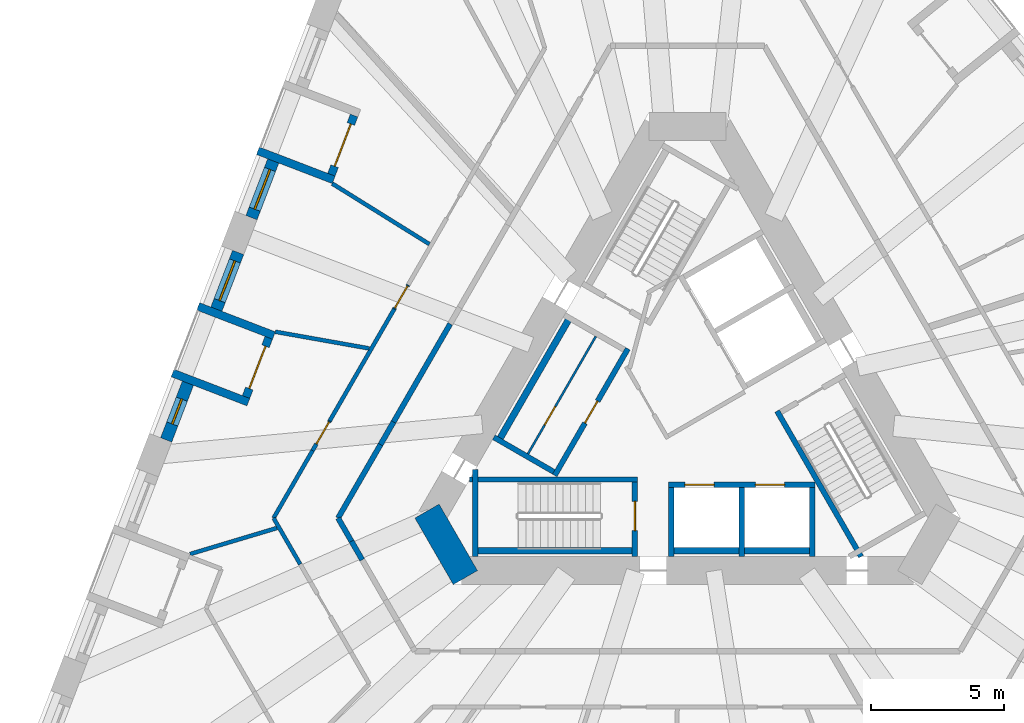
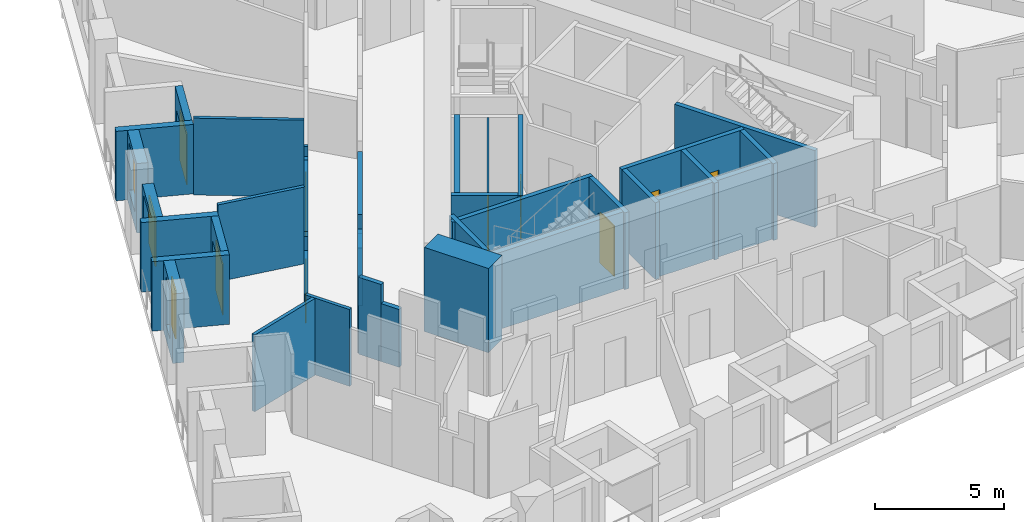
# One storey, part 4 of 14: 36 walls, 9 doors, 3 windows, 12 openings.
"""IFC4 building model written with IfcOpenShell, lengths in metres."""

from ifc_helpers import new_model, si_unit, direction, frame, frame_2d, origin, place, context, subcontext, project, spatial, polyline, rectangle, outline, extrude, material, layer, layer_set, type_object, element, fill, save


model = new_model("IFC4")

# Units and contexts
model_context = context("Model", 3, precision=1e-05, world=origin(), true_north=direction((0.0, 1.0)))
body_context = subcontext(model_context, "Body", "Model", "MODEL_VIEW")
ifc_project = project(units=[si_unit("LENGTHUNIT", "METRE"), si_unit("AREAUNIT", "SQUARE_METRE"), si_unit("VOLUMEUNIT", "CUBIC_METRE"), si_unit("PLANEANGLEUNIT", "RADIAN"), si_unit("MASSUNIT", "GRAM", prefix="KILO")], contexts=[model_context])

# Site, building, storey
site_placement = place(None, origin())
site = spatial("IfcSite", under=ifc_project, at=site_placement, CompositionType="ELEMENT")
building_placement = place(site_placement, origin())
building = spatial("IfcBuilding", under=site, at=building_placement, Name="Tramontana Tower", CompositionType="ELEMENT")
storey_placement = place(building_placement, frame((0.0, 0.0, 75.199951171875)))
storey = spatial("IfcBuildingStorey", under=building, at=storey_placement, Name="L16", CompositionType="ELEMENT", Elevation=75.199951171875)

# Walls
ifc_material_1 = material(Name="Concrete 70 MPa", Category="concrete")
ifc_layer_1 = layer(ifc_material_1, 1.050048828125)
ifc_layer_set_1 = layer_set([ifc_layer_1], Name="Core wall 1050 70 MPa")
wall_type_1 = type_object("IfcWallType", Name="Core wall 1050 70 MPa", PredefinedType="SHEAR", material=ifc_layer_set_1)
wall_1_placement = place(storey_placement, frame((-9.793212890625, -3.987548828125, 0.0), z_axis=(0.0, 0.0, 1.0), x_axis=(0.499995765644, -0.866027848477, 0.0)))
element("IfcWall", 1, at=wall_1_placement, inside=storey, type_object=wall_type_1, Name="Core wall C2 L16", PredefinedType="SHEAR", context=body_context, shape_type="SweptSolid", body=[
    extrude(rectangle(XDim=2.88671875, YDim=1.050048828125, at=frame_2d((1.443359375, 0.0))), origin(), (0.0, 0.0, 1.0), 4.0),
])
ifc_material_2 = material(Name="Blockwork", Category="masonry")
ifc_layer_2 = layer(ifc_material_2, 0.199951171875)
ifc_layer_set_2 = layer_set([ifc_layer_2], Name="ENTRY WALL 200")
wall_type_2 = type_object("IfcWallType", Name="ENTRY WALL 200", PredefinedType="SOLIDWALL", material=ifc_layer_set_2)
wall_2_placement = place(storey_placement, frame((-12.228515625, -5.819580078125, 0.0), z_axis=(0.0, 0.0, 1.0), x_axis=(-0.499923776705, 0.866069406852, 0.0)))
element("IfcWall", 2, at=wall_2_placement, inside=storey, type_object=wall_type_2, Name="Wall v12-ew3-4", PredefinedType="SOLIDWALL", context=body_context, shape_type="SweptSolid", body=[
    extrude(rectangle(XDim=0.804931640625, YDim=0.199951171875, at=frame_2d((0.40234375, 0.0))), origin(), (0.0, 0.0, 1.0), 2.75),
])
wall_3_placement = place(storey_placement, frame((-12.630859375, -5.12255859375, 0.0), z_axis=(0.0, 0.0, 1.0), x_axis=(-0.500099969036, 0.865967678941, 0.0)))
element("IfcWall", 3, at=wall_3_placement, inside=storey, type_object=wall_type_2, Name="Wall v12-ew3-5", PredefinedType="SOLIDWALL", context=body_context, shape_type="SweptSolid", body=[
    extrude(rectangle(XDim=1.007568359375, YDim=0.199951171875, at=frame_2d((0.50390625, 0.0))), origin(), (0.0, 0.0, 1.0), 3.650146484375),
])
wall_4_placement = place(storey_placement, frame((-13.134765625, -4.25, 0.0), z_axis=(0.0, 0.0, 1.0), x_axis=(0.50003154259, 0.866007191896, 0.0)))
element("IfcWall", 4, at=wall_4_placement, inside=storey, type_object=wall_type_2, Name="Wall v12-ew4-0", PredefinedType="SOLIDWALL", context=body_context, shape_type="SweptSolid", body=[
    extrude(rectangle(XDim=3.190673828125, YDim=0.199951171875, at=frame_2d((1.59521484375, 0.0))), origin(), (0.0, 0.0, 1.0), 3.650146484375),
])
wall_5_placement = place(storey_placement, frame((-11.539306640625, -1.48681640625, 0.0), z_axis=(0.0, 0.0, 1.0), x_axis=(0.499966601515, 0.86604468555, 0.0)))
element("IfcWall", 5, at=wall_5_placement, inside=storey, type_object=wall_type_2, Name="Wall v12-ew4-1", PredefinedType="SOLIDWALL", context=body_context, shape_type="SweptSolid", body=[
    extrude(rectangle(XDim=0.98095703125, YDim=0.199951171875, at=frame_2d((0.490478515625, 0.0))), origin(), (0.0, 0.0, 1.0), 2.75),
])
wall_6_placement = place(storey_placement, frame((-11.048828125, -0.63720703125, 0.0), z_axis=(0.0, 0.0, 1.0), x_axis=(0.500000470374, 0.866025132214, 0.0)))
element("IfcWall", 6, at=wall_6_placement, inside=storey, type_object=wall_type_2, Name="Wall v12-ew4-2", PredefinedType="SOLIDWALL", context=body_context, shape_type="SweptSolid", body=[
    extrude(rectangle(XDim=4.2568359375, YDim=0.199951171875, at=frame_2d((2.12841796875, 0.0))), origin(), (0.0, 0.0, 1.0), 3.650146484375),
])

# Wall, opening, window
ifc_material_3 = material(Name="Precast concrete 60 MPa", Category="concrete")
ifc_layer_3 = layer(ifc_material_3, 0.449951171875)
ifc_layer_set_3 = layer_set([ifc_layer_3], Name="Precast concrete 60 MPa, 450 mm")
wall_type_3 = type_object("IfcWallType", Name="EW1 Stone-faced precast wall 450", PredefinedType="SOLIDWALL", material=ifc_layer_set_3)
wall_7_placement = place(storey_placement, frame((-15.572021484375, 9.1728515625, 0.0), z_axis=(0.0, 0.0, 1.0), x_axis=(-0.358355550725, -0.933585185864, 0.0)))
wall_7 = element("IfcWall", 7, at=wall_7_placement, inside=storey, type_object=wall_type_3, Name="External wall L16 face 0 bay 3", PredefinedType="SOLIDWALL", context=body_context, shape_type="SweptSolid", body=[
    extrude(rectangle(XDim=2.282958984375, YDim=0.449951171875, at=frame_2d((1.1416015625, 0.0))), origin(), (0.0, 0.0, 1.0), 3.300048828125),
])
opening_1_placement = place(wall_7_placement, frame((0.341552734375, 0.0, 0.699951171875)))
opening_1 = element("IfcOpeningElement", 8, at=opening_1_placement, cuts=wall_7, Name="Opening M1", PredefinedType="OPENING", context=body_context, shape_type="SweptSolid", body=[
    extrude(rectangle(XDim=1.60009765625, YDim=2.300048828125, at=frame_2d((0.800048828125, 1.14990234375))), frame((0.0, 0.23486328125, 0.0), z_axis=(0.0, -1.0, 0.0), x_axis=(1.0, 0.0, 0.0)), (0.0, 0.0, 1.0), 0.469970703125),
])
ifc_material_4 = material(Name="Aluminum frame, double glazing unit", Category="aluminium")
window_type_1 = type_object("IfcWindowType", Name="M1 Window 1.6 x 2.3", PartitioningType="SINGLE_PANEL", PredefinedType="WINDOW", material=ifc_material_4)
window_1_placement = place(opening_1_placement, origin())
window_1 = element("IfcWindow", 9, at=window_1_placement, inside=storey, type_object=window_type_1, Name="Window M1 L16 face 0 module 9", OverallHeight=2.300048828125, OverallWidth=1.60009765625, PartitioningType="SINGLE_PANEL", PredefinedType="WINDOW", context=body_context, shape_type="SweptSolid", body=[
    extrude(rectangle(XDim=1.60009765625, YDim=2.300048828125, at=frame_2d((0.800048828125, 1.14990234375))), frame((0.0, 0.030029296875, 0.0), z_axis=(0.0, -1.0, 0.0), x_axis=(1.0, 0.0, 0.0)), (0.0, 0.0, 1.0), 0.06005859375),
])
fill(opening_1, window_1)

wall_8_placement = place(storey_placement, frame((-16.891845703125, 5.734375, 0.0), z_axis=(0.0, 0.0, 1.0), x_axis=(-0.358355550725, -0.933585185864, 0.0)))
wall_8 = element("IfcWall", 10, at=wall_8_placement, inside=storey, type_object=wall_type_3, Name="External wall L16 face 0 bay 4", PredefinedType="SOLIDWALL", context=body_context, shape_type="SweptSolid", body=[
    extrude(rectangle(XDim=2.282958984375, YDim=0.449951171875, at=frame_2d((1.1416015625, 0.0))), origin(), (0.0, 0.0, 1.0), 3.300048828125),
])
opening_2_placement = place(wall_8_placement, frame((0.341552734375, 0.0, 0.699951171875)))
opening_2 = element("IfcOpeningElement", 11, at=opening_2_placement, cuts=wall_8, Name="Opening M1", PredefinedType="OPENING", context=body_context, shape_type="SweptSolid", body=[
    extrude(rectangle(XDim=1.60009765625, YDim=2.300048828125, at=frame_2d((0.800048828125, 1.14990234375))), frame((0.0, 0.23486328125, 0.0), z_axis=(0.0, -1.0, 0.0), x_axis=(1.0, 0.0, 0.0)), (0.0, 0.0, 1.0), 0.469970703125),
])
window_2_placement = place(opening_2_placement, origin())
window_2 = element("IfcWindow", 12, at=window_2_placement, inside=storey, type_object=window_type_1, Name="Window M1 L16 face 0 module 10", OverallHeight=2.300048828125, OverallWidth=1.60009765625, PartitioningType="SINGLE_PANEL", PredefinedType="WINDOW", context=body_context, shape_type="SweptSolid", body=[
    extrude(rectangle(XDim=1.60009765625, YDim=2.300048828125, at=frame_2d((0.800048828125, 1.14990234375))), frame((0.0, 0.030029296875, 0.0), z_axis=(0.0, -1.0, 0.0), x_axis=(1.0, 0.0, 0.0)), (0.0, 0.0, 1.0), 0.06005859375),
])
fill(opening_2, window_2)

wall_9_placement = place(storey_placement, frame((-18.779052734375, 0.818115234375, 0.0), z_axis=(0.0, 0.0, 1.0), x_axis=(-0.358355550725, -0.933585185864, 0.0)))
wall_9 = element("IfcWall", 13, at=wall_9_placement, inside=storey, type_object=wall_type_3, Name="External wall L16 face 0 bay 4", PredefinedType="SOLIDWALL", context=body_context, shape_type="SweptSolid", body=[
    extrude(rectangle(XDim=2.282958984375, YDim=0.449951171875, at=frame_2d((1.1416015625, 0.0))), origin(), (0.0, 0.0, 1.0), 3.300048828125),
])
opening_3_placement = place(wall_9_placement, frame((0.6416015625, 0.0, 0.699951171875)))
opening_3 = element("IfcOpeningElement", 14, at=opening_3_placement, cuts=wall_9, Name="Opening N1", PredefinedType="OPENING", context=body_context, shape_type="SweptSolid", body=[
    extrude(rectangle(XDim=1.0, YDim=2.300048828125, at=frame_2d((0.5, 1.14990234375))), frame((0.0, 0.23486328125, 0.0), z_axis=(0.0, -1.0, 0.0), x_axis=(1.0, 0.0, 0.0)), (0.0, 0.0, 1.0), 0.469970703125),
])
ifc_material_5 = material(Name="Aluminum frame, double glazing unit", Category="aluminium")
window_type_2 = type_object("IfcWindowType", Name="N1 Window 1 x 2.3", PartitioningType="SINGLE_PANEL", PredefinedType="WINDOW", material=ifc_material_5)
window_3_placement = place(opening_3_placement, origin())
window_3 = element("IfcWindow", 15, at=window_3_placement, inside=storey, type_object=window_type_2, Name="Window N1 L16 face 0 module 12", OverallHeight=2.300048828125, OverallWidth=1.0, PartitioningType="SINGLE_PANEL", PredefinedType="WINDOW", context=body_context, shape_type="SweptSolid", body=[
    extrude(rectangle(XDim=1.0, YDim=2.300048828125, at=frame_2d((0.5, 1.14990234375))), frame((0.0, 0.030029296875, 0.0), z_axis=(0.0, -1.0, 0.0), x_axis=(1.0, 0.0, 0.0)), (0.0, 0.0, 1.0), 0.06005859375),
])
fill(opening_3, window_3)

# Wall, opening, door
ifc_material_6 = material(Name="Precast concrete 60 MPa", Category="concrete")
ifc_layer_4 = layer(ifc_material_6, 0.300048828125)
ifc_layer_set_4 = layer_set([ifc_layer_4], Name="LW1 Stone-faced loggia wall 300")
wall_type_4 = type_object("IfcWallType", Name="LW1 Stone-faced loggia wall 300", PredefinedType="SOLIDWALL", material=ifc_layer_set_4)
wall_10_placement = place(storey_placement, frame((-12.533447265625, 10.880126953125, 0.0), z_axis=(0.0, 0.0, 1.0), x_axis=(-0.35838856932, -0.933572511046, 0.0)))
wall_10 = element("IfcWall", 16, at=wall_10_placement, inside=storey, type_object=wall_type_4, Name="Loggia wall L16 G1S0.7", PredefinedType="SOLIDWALL", context=body_context, shape_type="SweptSolid", body=[
    extrude(rectangle(XDim=2.3828125, YDim=0.300048828125, at=frame_2d((1.19140625, 0.0))), origin(), (0.0, 0.0, 1.0), 3.300048828125),
])
opening_4_placement = place(wall_10_placement, frame((0.341552734375, 0.0, 0.0)))
opening_4 = element("IfcOpeningElement", 17, at=opening_4_placement, cuts=wall_10, Name="Opening BD-1S0-07", PredefinedType="OPENING", context=body_context, shape_type="SweptSolid", body=[
    extrude(rectangle(XDim=1.699951171875, YDim=2.39990234375, at=frame_2d((0.85009765625, 1.199951171875))), frame((0.0, 0.159912109375, 0.0), z_axis=(0.0, -1.0, 0.0), x_axis=(1.0, 0.0, 0.0)), (0.0, 0.0, 1.0), 0.320068359375),
])
ifc_material_7 = material(Name="Aluminum frame, double glazing unit", Category="aluminium")
door_type_1 = type_object("IfcDoorType", Name="BD1 Sliding door 1.7 x 2.4", OperationType="SLIDING_TO_LEFT", PredefinedType="DOOR", material=ifc_material_7)
door_1_placement = place(opening_4_placement, origin())
door_1 = element("IfcDoor", 18, at=door_1_placement, inside=storey, type_object=door_type_1, Name="Loggia door L16 G1S0.7", OperationType="SLIDING_TO_LEFT", OverallHeight=2.39990234375, OverallWidth=1.699951171875, PredefinedType="DOOR", context=body_context, shape_type="SweptSolid", body=[
    extrude(rectangle(XDim=1.699951171875, YDim=2.39990234375, at=frame_2d((0.85009765625, 1.199951171875))), frame((0.0, 0.02490234375, 0.0), z_axis=(0.0, -1.0, 0.0), x_axis=(1.0, 0.0, 0.0)), (0.0, 0.0, 1.0), 0.050048828125),
])
fill(opening_4, door_1)

# Wall
wall_11_placement = place(storey_placement, frame((-16.1484375, 9.5546875, 0.0), z_axis=(0.0, 0.0, 1.0), x_axis=(0.933580593625, -0.358367514161, 0.0)))
element("IfcWall", 19, at=wall_11_placement, inside=storey, type_object=wall_type_4, Name="Loggia return L16 G1S0.7b", PredefinedType="SOLIDWALL", context=body_context, shape_type="SweptSolid", body=[
    extrude(rectangle(XDim=3.050048828125, YDim=0.300048828125, at=frame_2d((1.52490234375, 0.0))), origin(), (0.0, 0.0, 1.0), 3.300048828125),
])

# Wall, opening, door
wall_12_placement = place(storey_placement, frame((-15.740478515625, 2.525634765625, 0.0), z_axis=(0.0, 0.0, 1.0), x_axis=(-0.35829926872, -0.933606787697, 0.0)))
wall_12 = element("IfcWall", 20, at=wall_12_placement, inside=storey, type_object=wall_type_4, Name="Loggia wall L16 G1S0.10", PredefinedType="SOLIDWALL", context=body_context, shape_type="SweptSolid", body=[
    extrude(rectangle(XDim=2.3828125, YDim=0.300048828125, at=frame_2d((1.19140625, 0.0))), origin(), (0.0, 0.0, 1.0), 3.300048828125),
])
opening_5_placement = place(wall_12_placement, frame((0.341552734375, 0.0, 0.0)))
opening_5 = element("IfcOpeningElement", 21, at=opening_5_placement, cuts=wall_12, Name="Opening BD-1S0-10", PredefinedType="OPENING", context=body_context, shape_type="SweptSolid", body=[
    extrude(rectangle(XDim=1.699951171875, YDim=2.39990234375, at=frame_2d((0.85009765625, 1.199951171875))), frame((0.0, 0.159912109375, 0.0), z_axis=(0.0, -1.0, 0.0), x_axis=(1.0, 0.0, 0.0)), (0.0, 0.0, 1.0), 0.320068359375),
])
door_2_placement = place(opening_5_placement, origin())
door_2 = element("IfcDoor", 22, at=door_2_placement, inside=storey, type_object=door_type_1, Name="Loggia door L16 G1S0.10", OperationType="SLIDING_TO_LEFT", OverallHeight=2.39990234375, OverallWidth=1.699951171875, PredefinedType="DOOR", context=body_context, shape_type="SweptSolid", body=[
    extrude(rectangle(XDim=1.699951171875, YDim=2.39990234375, at=frame_2d((0.85009765625, 1.199951171875))), frame((0.0, 0.02490234375, 0.0), z_axis=(0.0, -1.0, 0.0), x_axis=(1.0, 0.0, 0.0)), (0.0, 0.0, 1.0), 0.050048828125),
])
fill(opening_5, door_2)

# Walls
for number, where, z_axis, x_axis, name in (
    (23, (-18.39404296875, 3.704833984375, 0.0), (0.0, 0.0, 1.0), (0.933580593625, -0.358367514161, 0.0), "Loggia return L16 G1S0.10a"),
    (24, (-19.35546875, 1.2001953125, 0.0), (0.0, 0.0, 1.0), (0.933580593625, -0.358367514161, 0.0), "Loggia return L16 G1S0.10b"),
):
    element("IfcWall", number, at=place(storey_placement, frame(where, z_axis=z_axis, x_axis=x_axis)), inside=storey, type_object=wall_type_4, Name=name, PredefinedType="SOLIDWALL", context=body_context, shape_type="SweptSolid", body=[
        extrude(rectangle(XDim=3.050048828125, YDim=0.300048828125, at=frame_2d((1.52490234375, 0.0))), origin(), (0.0, 0.0, 1.0), 3.300048828125),
    ])
ifc_material_8 = material(Name="Gypsum board partition")
ifc_layer_5 = layer(ifc_material_8, 0.14990234375)
ifc_layer_set_5 = layer_set([ifc_layer_5], Name="PARTITION 150")
wall_type_5 = type_object("IfcWallType", Name="PARTITION 150", PredefinedType="PARTITIONING", material=ifc_layer_set_5)
wall_13_placement = place(storey_placement, frame((-18.69970703125, -5.6025390625, 0.0), z_axis=(0.0, 0.0, 1.0), x_axis=(0.957938455099, 0.286973720472, 0.0)))
element("IfcWall", 25, at=wall_13_placement, inside=storey, type_object=wall_type_5, Name="Wall v12-pw00", PredefinedType="PARTITIONING", context=body_context, shape_type="SweptSolid", body=[
    extrude(rectangle(XDim=3.412353515625, YDim=0.14990234375, at=frame_2d((1.7060546875, 0.0))), origin(), (0.0, 0.0, 1.0), 3.650146484375),
])
wall_14_placement = place(storey_placement, frame((-15.5595703125, -4.25, 0.0), z_axis=(0.0, 0.0, 1.0), x_axis=(0.500013600279, 0.866017551517, 0.0)))
element("IfcWall", 26, at=wall_14_placement, inside=storey, type_object=wall_type_5, Name="Wall v12-pw03-0", PredefinedType="PARTITIONING", context=body_context, shape_type="SweptSolid", body=[
    extrude(rectangle(XDim=2.927734375, YDim=0.14990234375, at=frame_2d((1.4638671875, 0.0))), origin(), (0.0, 0.0, 1.0), 3.650146484375),
])

# Wall, opening, door
wall_15_placement = place(storey_placement, frame((-14.095703125, -1.714599609375, 0.0), z_axis=(0.0, 0.0, 1.0), x_axis=(0.499940610781, 0.866059689451, 0.0)))
wall_15 = element("IfcWall", 27, at=wall_15_placement, inside=storey, type_object=wall_type_5, Name="Wall v12-pw03-1", PredefinedType="PARTITIONING", context=body_context, shape_type="SweptSolid", body=[
    extrude(outline(polyline([(0.0, 0.0), (1.291748046875, 0.0), (1.29150390625, 3.650146484375), (0.950439453125, 3.650146484375), (0.950439453125, 2.75), (0.0, 2.75), (0.0, 0.0)])), frame((0.0, 0.074951171875, 0.0), z_axis=(0.0, -1.0, 0.0), x_axis=(1.0, 0.0, 0.0)), (0.0, 0.0, 1.0), 0.14990234375),
])
opening_6_placement = place(wall_15_placement, frame((0.29150390625, 0.0, 0.0)))
opening_6 = element("IfcOpeningElement", 28, at=opening_6_placement, cuts=wall_15, Name="Opening B1C-11", PredefinedType="OPENING", context=body_context, shape_type="SweptSolid", body=[
    extrude(rectangle(XDim=0.949951171875, YDim=2.39990234375, at=frame_2d((0.47509765625, 1.199951171875))), frame((0.0, 0.0849609375, 0.0), z_axis=(0.0, -1.0, 0.0), x_axis=(1.0, 0.0, 0.0)), (0.0, 0.0, 1.0), 0.169921875),
])
ifc_material_9 = material(Name="Painted timber", Category="wood")
door_type_2 = type_object("IfcDoorType", Name="DOOR ROOM 950", OperationType="SINGLE_SWING_LEFT", PredefinedType="DOOR", material=ifc_material_9)
door_3_placement = place(opening_6_placement, origin())
door_3 = element("IfcDoor", 29, at=door_3_placement, inside=storey, type_object=door_type_2, Name="Door B1C-11", OperationType="SINGLE_SWING_LEFT", OverallHeight=2.39990234375, OverallWidth=0.949951171875, PredefinedType="DOOR", context=body_context, shape_type="SweptSolid", body=[
    extrude(rectangle(XDim=0.949951171875, YDim=2.39990234375, at=frame_2d((0.47509765625, 1.199951171875))), frame((0.0, 0.02490234375, 0.0), z_axis=(0.0, -1.0, 0.0), x_axis=(1.0, 0.0, 0.0)), (0.0, 0.0, 1.0), 0.050048828125),
])
fill(opening_6, door_3)

# Wall
wall_16_placement = place(storey_placement, frame((-13.449951171875, -0.595947265625, 0.0), z_axis=(0.0, 0.0, 1.0), x_axis=(0.499994084299, 0.866028819189, 0.0)))
element("IfcWall", 30, at=wall_16_placement, inside=storey, type_object=wall_type_5, Name="Wall v12-pw03-2", PredefinedType="PARTITIONING", context=body_context, shape_type="SweptSolid", body=[
    extrude(rectangle(XDim=4.849609375, YDim=0.14990234375, at=frame_2d((2.4248046875, 0.0))), origin(), (0.0, 0.0, 1.0), 3.650146484375),
])

# Wall, opening, door
wall_17_placement = place(storey_placement, frame((-11.025146484375, 3.60400390625, 0.0), z_axis=(0.0, 0.0, 1.0), x_axis=(0.499990860175, 0.866030680601, 0.0)))
wall_17 = element("IfcWall", 31, at=wall_17_placement, inside=storey, type_object=wall_type_5, Name="Wall v12-pw03-3", PredefinedType="PARTITIONING", context=body_context, shape_type="SweptSolid", body=[
    extrude(outline(polyline([(0.0, 0.0), (1.0498046875, 0.0), (1.050048828125, 3.650146484375), (0.935546875, 3.650146484375), (0.935546875, 2.949951171875), (0.252197265625, 2.949951171875), (0.252197265625, 3.650146484375), (0.0, 3.650146484375), (0.0, 0.0)])), frame((0.0, 0.074951171875, 0.0), z_axis=(0.0, -1.0, 0.0), x_axis=(1.0, 0.0, 0.0)), (0.0, 0.0, 1.0), 0.14990234375),
])
opening_7_placement = place(wall_17_placement, frame((0.050048828125, 0.0, 0.0)))
opening_7 = element("IfcOpeningElement", 32, at=opening_7_placement, cuts=wall_17, Name="Opening B1C-12", PredefinedType="OPENING", context=body_context, shape_type="SweptSolid", body=[
    extrude(rectangle(XDim=0.949951171875, YDim=2.39990234375, at=frame_2d((0.47509765625, 1.199951171875))), frame((0.0, 0.0849609375, 0.0), z_axis=(0.0, -1.0, 0.0), x_axis=(1.0, 0.0, 0.0)), (0.0, 0.0, 1.0), 0.169921875),
])
door_4_placement = place(opening_7_placement, origin())
door_4 = element("IfcDoor", 33, at=door_4_placement, inside=storey, type_object=door_type_2, Name="Door B1C-12", OperationType="SINGLE_SWING_RIGHT", OverallHeight=2.39990234375, OverallWidth=0.949951171875, PredefinedType="DOOR", context=body_context, shape_type="SweptSolid", body=[
    extrude(rectangle(XDim=0.949951171875, YDim=2.39990234375, at=frame_2d((0.47509765625, 1.199951171875))), frame((0.0, 0.02490234375, 0.0), z_axis=(0.0, -1.0, 0.0), x_axis=(1.0, 0.0, 0.0)), (0.0, 0.0, 1.0), 0.050048828125),
])
fill(opening_7, door_4)

# Walls
wall_18_placement = place(storey_placement, frame((-15.492919921875, 2.751953125, 0.0), z_axis=(0.0, 0.0, 1.0), x_axis=(0.98459432841, -0.174854249201, 0.0)))
element("IfcWall", 34, at=wall_18_placement, inside=storey, type_object=wall_type_5, Name="Wall v12-pw04", PredefinedType="PARTITIONING", context=body_context, shape_type="SweptSolid", body=[
    extrude(rectangle(XDim=3.582763671875, YDim=0.14990234375, at=frame_2d((1.79150390625, 0.0))), origin(), (0.0, 0.0, 1.0), 3.650146484375),
])
wall_19_placement = place(storey_placement, frame((-13.354736328125, 8.321533203125, 0.0), z_axis=(0.0, 0.0, 1.0), x_axis=(0.848727332237, -0.52883070591, 0.0)))
element("IfcWall", 35, at=wall_19_placement, inside=storey, type_object=wall_type_5, Name="Wall v12-pw07", PredefinedType="PARTITIONING", context=body_context, shape_type="SweptSolid", body=[
    extrude(rectangle(XDim=4.3037109375, YDim=0.14990234375, at=frame_2d((2.15185546875, 0.0))), origin(), (0.0, 0.0, 1.0), 3.650146484375),
])
wall_20_placement = place(storey_placement, frame((-14.55810546875, -5.984619140625, 0.0), z_axis=(0.0, 0.0, 1.0), x_axis=(-0.499993265928, 0.866029291668, 0.0)))
element("IfcWall", 36, at=wall_20_placement, inside=storey, type_object=wall_type_5, Name="Wall v12-pw10-4", PredefinedType="PARTITIONING", context=body_context, shape_type="SweptSolid", body=[
    extrude(rectangle(XDim=2.0029296875, YDim=0.14990234375, at=frame_2d((1.00146484375, 0.0))), origin(), (0.0, 0.0, 1.0), 3.650146484375),
])

# Wall, opening, door
ifc_material_10 = material(Name="Gypsum board partition")
ifc_layer_6 = layer(ifc_material_10, 0.080078125)
ifc_layer_set_6 = layer_set([ifc_layer_6], Name="PARTITION 80")
wall_type_6 = type_object("IfcWallType", Name="PARTITION 80", PredefinedType="PARTITIONING", material=ifc_layer_set_6)
wall_21_placement = place(storey_placement, frame((-5.997314453125, -1.837646484375, 0.0), z_axis=(0.0, 0.0, 1.0), x_axis=(0.500005610874, 0.86602216432, 0.0)))
wall_21 = element("IfcWall", 37, at=wall_21_placement, inside=storey, type_object=wall_type_6, Name="Wall row0-split", PredefinedType="PARTITIONING", context=body_context, shape_type="SweptSolid", body=[
    extrude(rectangle(XDim=5.10009765625, YDim=0.080078125, at=frame_2d((2.550048828125, 0.0))), origin(), (0.0, 0.0, 1.0), 3.650146484375),
])
opening_8_placement = place(wall_21_placement, frame((1.25, 0.0, 0.0)))
opening_8 = element("IfcOpeningElement", 38, at=opening_8_placement, cuts=wall_21, Name="Opening RD-0B", PredefinedType="OPENING", context=body_context, shape_type="SweptSolid", body=[
    extrude(rectangle(XDim=0.800048828125, YDim=2.10009765625, at=frame_2d((0.39990234375, 1.050048828125))), frame((0.0, 0.050048828125, 0.0), z_axis=(0.0, -1.0, 0.0), x_axis=(1.0, 0.0, 0.0)), (0.0, 0.0, 1.0), 0.10009765625),
])
ifc_material_11 = material(Name="Painted steel", Category="steel")
door_type_3 = type_object("IfcDoorType", Name="CUPBOARD DOOR 800", OperationType="SINGLE_SWING_LEFT", PredefinedType="DOOR", material=ifc_material_11)
door_5_placement = place(opening_8_placement, origin())
door_5 = element("IfcDoor", 39, at=door_5_placement, inside=storey, type_object=door_type_3, Name="Door RD-0B", OperationType="SINGLE_SWING_RIGHT", OverallHeight=2.10009765625, OverallWidth=0.800048828125, PredefinedType="DOOR", context=body_context, shape_type="SweptSolid", body=[
    extrude(rectangle(XDim=0.800048828125, YDim=2.10009765625, at=frame_2d((0.39990234375, 1.050048828125))), frame((0.0, 0.02490234375, 0.0), z_axis=(0.0, -1.0, 0.0), x_axis=(1.0, 0.0, 0.0)), (0.0, 0.0, 1.0), 0.050048828125),
])
fill(opening_8, door_5)

# Walls
ifc_material_12 = material(Name="Concrete 70 MPa", Category="concrete")
ifc_layer_7 = layer(ifc_material_12, 0.25)
ifc_layer_set_7 = layer_set([ifc_layer_7], Name="Concrete 70 MPa, 250 mm")
wall_type_7 = type_object("IfcWallType", Name="RC SHAFT BACK WALL 250", PredefinedType="SOLIDWALL", material=ifc_layer_set_7)
wall_22_placement = place(storey_placement, frame((-8.080078125, -5.47509765625, 0.0), z_axis=(0.0, 0.0, 1.0), x_axis=(1.0, 0.0, 0.0)))
element("IfcWall", 40, at=wall_22_placement, inside=storey, type_object=wall_type_7, Name="Wall st2-back", PredefinedType="SOLIDWALL", context=body_context, shape_type="SweptSolid", body=[
    extrude(rectangle(XDim=6.2001953125, YDim=0.25, at=frame_2d((3.10009765625, 0.0))), origin(), (0.0, 0.0, 1.0), 3.650146484375),
])
wall_23_placement = place(storey_placement, frame((-4.386474609375, 3.352294921875, 0.0), z_axis=(0.0, 0.0, 1.0), x_axis=(-0.500015767406, -0.866016300277, 0.0)))
element("IfcWall", 41, at=wall_23_placement, inside=storey, type_object=wall_type_7, Name="Wall row0-back", PredefinedType="SOLIDWALL", context=body_context, shape_type="SweptSolid", body=[
    extrude(rectangle(XDim=5.499755859375, YDim=0.25, at=frame_2d((2.75, 0.0))), origin(), (0.0, 0.0, 1.0), 3.650146484375),
])
wall_24_placement = place(storey_placement, frame((-0.7099609375, -5.47509765625, 0.0), z_axis=(0.0, 0.0, 1.0), x_axis=(1.0, 0.0, 0.0)))
element("IfcWall", 42, at=wall_24_placement, inside=storey, type_object=wall_type_7, Name="Wall row1-back", PredefinedType="SOLIDWALL", context=body_context, shape_type="SweptSolid", body=[
    extrude(rectangle(XDim=5.5, YDim=0.25, at=frame_2d((2.75, 0.0))), origin(), (0.0, 0.0, 1.0), 3.650146484375),
])
ifc_material_13 = material(Name="Concrete 70 MPa", Category="concrete")
ifc_layer_8 = layer(ifc_material_13, 0.199951171875)
ifc_layer_set_8 = layer_set([ifc_layer_8], Name="Concrete 70 MPa, 200 mm")
wall_type_8 = type_object("IfcWallType", Name="RC STAIR AND SHAFT WALL 200", PredefinedType="SOLIDWALL", material=ifc_layer_set_8)
wall_25_placement = place(storey_placement, frame((-8.198486328125, -2.800048828125, 0.0), z_axis=(0.0, 0.0, 1.0), x_axis=(1.0, 0.0, 0.0)))
element("IfcWall", 43, at=wall_25_placement, inside=storey, type_object=wall_type_8, Name="Wall st2-front", PredefinedType="SOLIDWALL", context=body_context, shape_type="SweptSolid", body=[
    extrude(rectangle(XDim=6.318603515625, YDim=0.199951171875, at=frame_2d((3.1591796875, 0.0))), origin(), (0.0, 0.0, 1.0), 3.650146484375),
])
wall_26_placement = place(storey_placement, frame((-7.97998046875, -2.421875, 0.0), z_axis=(0.0, 0.0, 1.0), x_axis=(0.0, -1.0, 0.0)))
element("IfcWall", 44, at=wall_26_placement, inside=storey, type_object=wall_type_8, Name="Wall st2-far", PredefinedType="SOLIDWALL", context=body_context, shape_type="SweptSolid", body=[
    extrude(rectangle(XDim=3.278076171875, YDim=0.199951171875, at=frame_2d((1.63916015625, 0.0))), origin(), (0.0, 0.0, 1.0), 3.650146484375),
])

# Wall, opening, door
wall_27_placement = place(storey_placement, frame((-1.97998046875, -2.89990234375, 0.0), z_axis=(0.0, 0.0, 1.0), x_axis=(0.0, -1.0, 0.0)))
wall_27 = element("IfcWall", 45, at=wall_27_placement, inside=storey, type_object=wall_type_8, Name="Wall st2-near", PredefinedType="SOLIDWALL", context=body_context, shape_type="SweptSolid", body=[
    extrude(rectangle(XDim=2.800048828125, YDim=0.199951171875, at=frame_2d((1.39990234375, 0.0))), origin(), (0.0, 0.0, 1.0), 3.650146484375),
])
opening_9_placement = place(wall_27_placement, frame((0.72509765625, 0.0, 0.0)))
opening_9 = element("IfcOpeningElement", 46, at=opening_9_placement, cuts=wall_27, Name="Opening SD2", PredefinedType="OPENING", context=body_context, shape_type="SweptSolid", body=[
    extrude(rectangle(XDim=1.10009765625, YDim=2.39990234375, at=frame_2d((0.550048828125, 1.199951171875))), frame((0.0, 0.10986328125, 0.0), z_axis=(0.0, -1.0, 0.0), x_axis=(1.0, 0.0, 0.0)), (0.0, 0.0, 1.0), 0.219970703125),
])
ifc_material_14 = material(Name="Painted steel", Category="steel")
door_type_4 = type_object("IfcDoorType", Name="STAIR DOOR 1100", OperationType="SINGLE_SWING_LEFT", PredefinedType="DOOR", material=ifc_material_14)
door_6_placement = place(opening_9_placement, origin())
door_6 = element("IfcDoor", 47, at=door_6_placement, inside=storey, type_object=door_type_4, Name="Door SD2", OperationType="SINGLE_SWING_LEFT", OverallHeight=2.39990234375, OverallWidth=1.10009765625, PredefinedType="DOOR", context=body_context, shape_type="SweptSolid", body=[
    extrude(rectangle(XDim=1.10009765625, YDim=2.39990234375, at=frame_2d((0.550048828125, 1.199951171875))), frame((0.0, 0.02490234375, 0.0), z_axis=(0.0, -1.0, 0.0), x_axis=(1.0, 0.0, 0.0)), (0.0, 0.0, 1.0), 0.050048828125),
])
fill(opening_9, door_6)

# Wall
wall_28_placement = place(storey_placement, frame((6.524169921875, -5.699951171875, 0.0), z_axis=(0.0, 0.0, 1.0), x_axis=(-0.499995607161, 0.866027939976, 0.0)))
element("IfcWall", 48, at=wall_28_placement, inside=storey, type_object=wall_type_8, Name="Wall st3-front", PredefinedType="SOLIDWALL", context=body_context, shape_type="SweptSolid", body=[
    extrude(rectangle(XDim=6.318359375, YDim=0.199951171875, at=frame_2d((3.1591796875, 0.0))), origin(), (0.0, 0.0, 1.0), 3.650146484375),
])

# Wall, opening, door
wall_29_placement = place(storey_placement, frame((-4.9931640625, -2.648193359375, 0.0), z_axis=(0.0, 0.0, 1.0), x_axis=(0.499996545922, 0.866027397988, 0.0)))
wall_29 = element("IfcWall", 49, at=wall_29_placement, inside=storey, type_object=wall_type_8, Name="Wall row0-front", PredefinedType="SOLIDWALL", context=body_context, shape_type="SweptSolid", body=[
    extrude(rectangle(XDim=5.5, YDim=0.199951171875, at=frame_2d((2.75, 0.0))), origin(), (0.0, 0.0, 1.0), 3.650146484375),
])
opening_10_placement = place(wall_29_placement, frame((2.27490234375, 0.0, 0.0)))
opening_10 = element("IfcOpeningElement", 50, at=opening_10_placement, cuts=wall_29, Name="Opening RD-0A", PredefinedType="OPENING", context=body_context, shape_type="SweptSolid", body=[
    extrude(rectangle(XDim=0.949951171875, YDim=2.39990234375, at=frame_2d((0.47509765625, 1.199951171875))), frame((0.0, 0.10986328125, 0.0), z_axis=(0.0, -1.0, 0.0), x_axis=(1.0, 0.0, 0.0)), (0.0, 0.0, 1.0), 0.219970703125),
])
door_7_placement = place(opening_10_placement, origin())
door_7 = element("IfcDoor", 51, at=door_7_placement, inside=storey, type_object=door_type_2, Name="Door RD-0A", OperationType="SINGLE_SWING_LEFT", OverallHeight=2.39990234375, OverallWidth=0.949951171875, PredefinedType="DOOR", context=body_context, shape_type="SweptSolid", body=[
    extrude(rectangle(XDim=0.949951171875, YDim=2.39990234375, at=frame_2d((0.47509765625, 1.199951171875))), frame((0.0, 0.02490234375, 0.0), z_axis=(0.0, -1.0, 0.0), x_axis=(1.0, 0.0, 0.0)), (0.0, 0.0, 1.0), 0.050048828125),
])
fill(opening_10, door_7)

# Wall
wall_30_placement = place(storey_placement, frame((-5.02978515625, -2.51171875, 0.0), z_axis=(0.0, 0.0, 1.0), x_axis=(-0.865997922154, 0.500047596559, 0.0)))
element("IfcWall", 52, at=wall_30_placement, inside=storey, type_object=wall_type_8, Name="Wall row0-side2", PredefinedType="SOLIDWALL", context=body_context, shape_type="SweptSolid", body=[
    extrude(rectangle(XDim=2.599853515625, YDim=0.199951171875, at=frame_2d((1.2998046875, 0.0))), origin(), (0.0, 0.0, 1.0), 3.650146484375),
])

# Wall, openings, doors
wall_31_placement = place(storey_placement, frame((-0.7099609375, -3.0, 0.0), z_axis=(0.0, 0.0, 1.0), x_axis=(1.0, 0.0, 0.0)))
wall_31 = element("IfcWall", 53, at=wall_31_placement, inside=storey, type_object=wall_type_8, Name="Wall row1-front", PredefinedType="SOLIDWALL", context=body_context, shape_type="SweptSolid", body=[
    extrude(rectangle(XDim=5.5, YDim=0.199951171875, at=frame_2d((2.75, 0.0))), origin(), (0.0, 0.0, 1.0), 3.650146484375),
])
opening_11_placement = place(wall_31_placement, frame((0.610107421875, 0.0, 0.0)))
opening_11 = element("IfcOpeningElement", 54, at=opening_11_placement, cuts=wall_31, Name="Opening LD-S1", PredefinedType="OPENING", context=body_context, shape_type="SweptSolid", body=[
    extrude(rectangle(XDim=1.10009765625, YDim=2.10009765625, at=frame_2d((0.550048828125, 1.050048828125))), frame((0.0, 0.10986328125, 0.0), z_axis=(0.0, -1.0, 0.0), x_axis=(1.0, 0.0, 0.0)), (0.0, 0.0, 1.0), 0.219970703125),
])
opening_12_placement = place(wall_31_placement, frame((3.260009765625, 0.0, 0.0)))
opening_12 = element("IfcOpeningElement", 55, at=opening_12_placement, cuts=wall_31, Name="Opening LD-S2", PredefinedType="OPENING", context=body_context, shape_type="SweptSolid", body=[
    extrude(rectangle(XDim=1.10009765625, YDim=2.10009765625, at=frame_2d((0.550048828125, 1.050048828125))), frame((0.0, 0.10986328125, 0.0), z_axis=(0.0, -1.0, 0.0), x_axis=(1.0, 0.0, 0.0)), (0.0, 0.0, 1.0), 0.219970703125),
])
ifc_material_15 = material(Name="Brushed steel", Category="steel")
door_type_5 = type_object("IfcDoorType", Name="LANDING DOOR 1100", OperationType="SINGLE_SWING_LEFT", PredefinedType="DOOR", material=ifc_material_15)
door_8_placement = place(opening_11_placement, origin())
door_8 = element("IfcDoor", 56, at=door_8_placement, inside=storey, type_object=door_type_5, Name="Door LD-S1", OperationType="SLIDING_TO_LEFT", OverallHeight=2.10009765625, OverallWidth=1.10009765625, PredefinedType="DOOR", context=body_context, shape_type="SweptSolid", body=[
    extrude(rectangle(XDim=1.10009765625, YDim=2.10009765625, at=frame_2d((0.550048828125, 1.050048828125))), frame((0.0, 0.02490234375, 0.0), z_axis=(0.0, -1.0, 0.0), x_axis=(1.0, 0.0, 0.0)), (0.0, 0.0, 1.0), 0.050048828125),
])
fill(opening_11, door_8)
door_9_placement = place(opening_12_placement, origin())
door_9 = element("IfcDoor", 57, at=door_9_placement, inside=storey, type_object=door_type_5, Name="Door LD-S2", OperationType="SLIDING_TO_RIGHT", OverallHeight=2.10009765625, OverallWidth=1.10009765625, PredefinedType="DOOR", context=body_context, shape_type="SweptSolid", body=[
    extrude(rectangle(XDim=1.10009765625, YDim=2.10009765625, at=frame_2d((0.550048828125, 1.050048828125))), frame((0.0, 0.02490234375, 0.0), z_axis=(0.0, -1.0, 0.0), x_axis=(1.0, 0.0, 0.0)), (0.0, 0.0, 1.0), 0.050048828125),
])
fill(opening_12, door_9)

# Walls
for number, where, z_axis, x_axis, name in (
    (58, (-0.610107421875, -3.10009765625, 0.0), (0.0, 0.0, 1.0), (0.0, -1.0, 0.0), "Wall row1-side0"),
    (59, (2.0400390625, -3.10009765625, 0.0), (0.0, 0.0, 1.0), (0.0, -1.0, 0.0), "Wall row1-side1"),
    (60, (4.68994140625, -3.10009765625, 0.0), (0.0, 0.0, 1.0), (0.0, -1.0, 0.0), "Wall row1-side2"),
):
    element("IfcWall", number, at=place(storey_placement, frame(where, z_axis=z_axis, x_axis=x_axis)), inside=storey, type_object=wall_type_8, Name=name, PredefinedType="SOLIDWALL", context=body_context, shape_type="SweptSolid", body=[
        extrude(rectangle(XDim=2.599853515625, YDim=0.199951171875, at=frame_2d((1.2998046875, 0.0))), origin(), (0.0, 0.0, 1.0), 3.650146484375),
    ])

save(model, "model.ifc")
